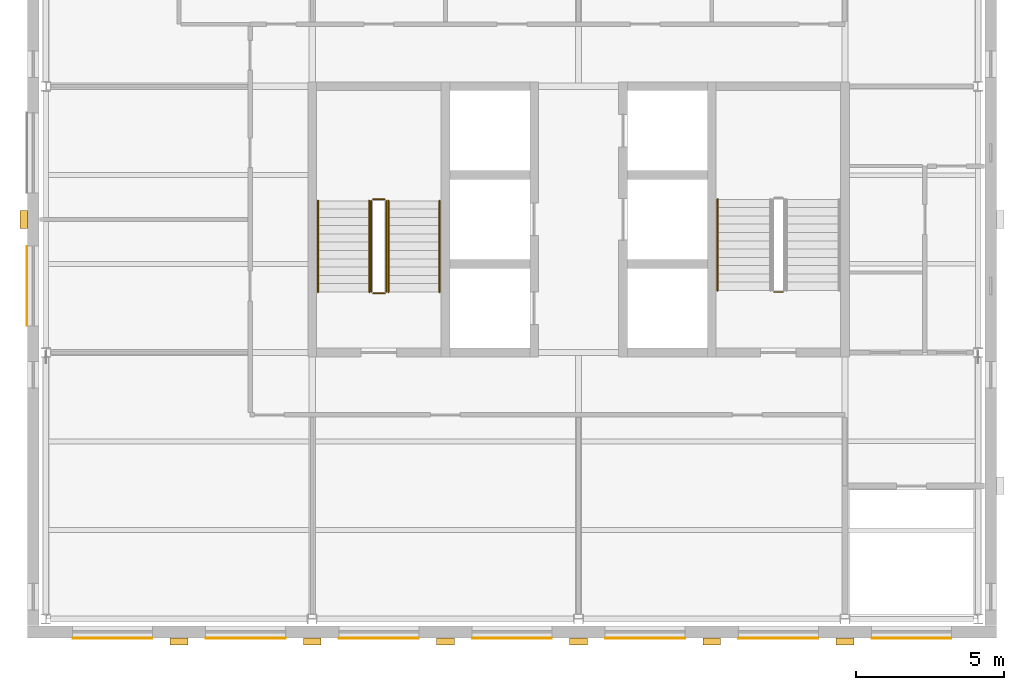
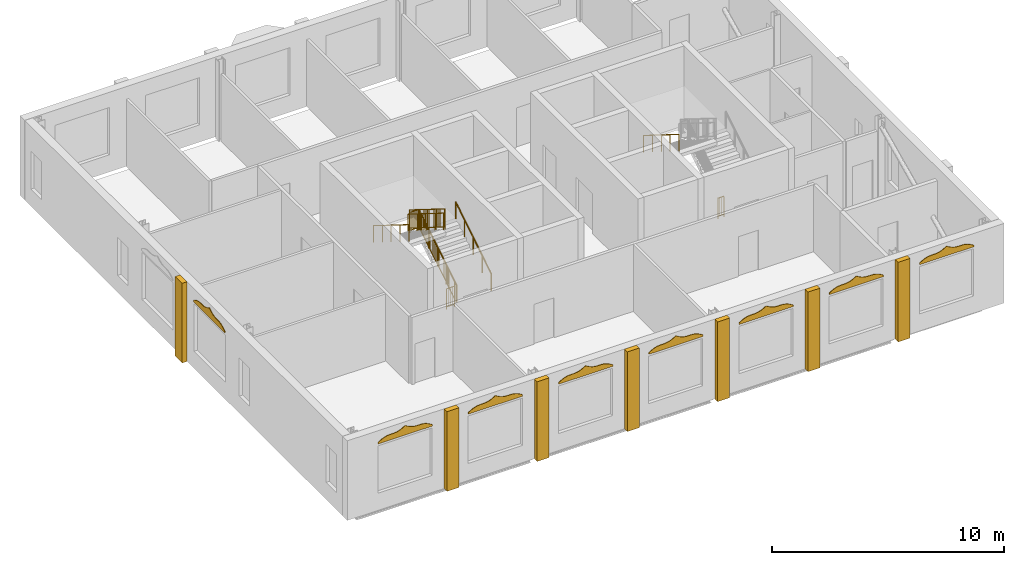
# One storey, part 8 of 9: 15 coverings, 10 railings.
"""IFC4 building model written with IfcOpenShell, lengths in metres."""

from ifc_helpers import new_model, si_unit, direction, frame, origin, origin_2d, place, context, subcontext, project, spatial, polyline, rectangle, circle, outline, extrude, material, layer, layer_set, type_object, element, save


model = new_model("IFC4")

# Units and contexts
model_context = context("Model", 3, precision=1e-05, world=origin(), true_north=direction((0.0, 1.0)))
body_context = subcontext(model_context, "Body", "Model", "MODEL_VIEW")
ifc_project = project(units=[si_unit("LENGTHUNIT", "METRE"), si_unit("AREAUNIT", "SQUARE_METRE"), si_unit("VOLUMEUNIT", "CUBIC_METRE"), si_unit("PLANEANGLEUNIT", "RADIAN"), si_unit("MASSUNIT", "GRAM", prefix="KILO")], contexts=[model_context])

# Site, building, storey
site_placement = place(None, origin())
site = spatial("IfcSite", under=ifc_project, at=site_placement, CompositionType="ELEMENT")
building_placement = place(site_placement, origin())
building = spatial("IfcBuilding", under=site, at=building_placement, Name="Hortulan Conservatory and Botanical Research Centre", CompositionType="ELEMENT")
storey_placement = place(building_placement, frame((0.0, 0.0, 57.0)))
storey = spatial("IfcBuildingStorey", under=building, at=storey_placement, Name="L13", CompositionType="ELEMENT", Elevation=57.0)

# Coverings
ifc_material_1 = material(Name="Faience cladding, cream glaze (non-combustible)", Category="ceramic")
ifc_layer_1 = layer(ifc_material_1, 0.030029296875)
ifc_layer_set_1 = layer_set([ifc_layer_1], Name="Faience Ogee Head Panel Cream 2700x500")
covering_type_1 = type_object("IfcCoveringType", Name="Faience Ogee Head Panel Cream 2700x500", PredefinedType="CLADDING", material=ifc_layer_set_1)
for number, where, z_axis, x_axis, name in (
    (1, (3.60009765625, -0.65087890625, 3.52001953125), (0.0, 0.0, 1.0), (-1.0, 0.0, 0.0), "Ogee head panel"),
    (2, (26.10009765625, -0.65087890625, 3.52001953125), (0.0, 0.0, 1.0), (-1.0, 0.0, 0.0), "Ogee head panel"),
    (3, (30.60009765625, -0.65087890625, 3.52001953125), (0.0, 0.0, 1.0), (-1.0, 0.0, 0.0), "Ogee head panel"),
):
    element("IfcCovering", number, at=place(storey_placement, frame(where, z_axis=z_axis, x_axis=x_axis)), inside=storey, type_object=covering_type_1, Name=name, PredefinedType="CLADDING", context=body_context, shape_type="SweptSolid", body=[
        extrude(outline(polyline([(0.0, 0.0), (2.699951171875, 0.0), (2.699951171875, 0.080078125), (2.58740234375, 0.148681640625), (2.47509765625, 0.208251953125), (2.362548828125, 0.252197265625), (2.25, 0.278076171875), (2.137451171875, 0.28857421875), (2.02490234375, 0.2900390625), (1.91259765625, 0.291259765625), (1.800048828125, 0.3017578125), (1.6875, 0.327880859375), (1.574951171875, 0.371826171875), (1.46240234375, 0.431396484375), (1.35009765625, 0.5), (1.237548828125, 0.431396484375), (1.125, 0.371826171875), (1.012451171875, 0.327880859375), (0.89990234375, 0.3017578125), (0.78759765625, 0.291259765625), (0.675048828125, 0.2900390625), (0.5625, 0.28857421875), (0.449951171875, 0.278076171875), (0.33740234375, 0.252197265625), (0.22509765625, 0.208251953125), (0.112548828125, 0.148681640625), (0.0, 0.080078125), (0.0, 0.0)])), frame((0.0, 0.01513671875, 0.0), z_axis=(0.0, -1.0, 0.0), x_axis=(1.0, 0.0, 0.0)), (0.0, 0.0, 1.0), 0.030029296875),
    ])
ifc_material_2 = material(Name="Faience cladding, waratah crimson glaze (non-combustible)", Category="ceramic")
ifc_layer_2 = layer(ifc_material_2, 0.030029296875)
ifc_layer_set_2 = layer_set([ifc_layer_2], Name="Faience Ogee Head Panel Crimson 2700x500")
covering_type_2 = type_object("IfcCoveringType", Name="Faience Ogee Head Panel Crimson 2700x500", PredefinedType="CLADDING", material=ifc_layer_set_2)
for number, where, z_axis, x_axis, name in (
    (4, (8.10009765625, -0.65087890625, 3.52001953125), (0.0, 0.0, 1.0), (-1.0, 0.0, 0.0), "Ogee head panel"),
    (5, (12.60009765625, -0.65087890625, 3.52001953125), (0.0, 0.0, 1.0), (-1.0, 0.0, 0.0), "Ogee head panel"),
    (6, (-0.639892578125, 9.89990234375, 3.52001953125), (0.0, 0.0, 1.0), (0.0, 1.0, 0.0), "Ogee head panel"),
):
    element("IfcCovering", number, at=place(storey_placement, frame(where, z_axis=z_axis, x_axis=x_axis)), inside=storey, type_object=covering_type_2, Name=name, PredefinedType="CLADDING", context=body_context, shape_type="SweptSolid", body=[
        extrude(outline(polyline([(0.0, 0.0), (2.699951171875, 0.0), (2.699951171875, 0.080078125), (2.58740234375, 0.148681640625), (2.47509765625, 0.208251953125), (2.362548828125, 0.252197265625), (2.25, 0.278076171875), (2.137451171875, 0.28857421875), (2.02490234375, 0.2900390625), (1.91259765625, 0.291259765625), (1.800048828125, 0.3017578125), (1.6875, 0.327880859375), (1.574951171875, 0.371826171875), (1.46240234375, 0.431396484375), (1.35009765625, 0.5), (1.237548828125, 0.431396484375), (1.125, 0.371826171875), (1.012451171875, 0.327880859375), (0.89990234375, 0.3017578125), (0.78759765625, 0.291259765625), (0.675048828125, 0.2900390625), (0.5625, 0.28857421875), (0.449951171875, 0.278076171875), (0.33740234375, 0.252197265625), (0.22509765625, 0.208251953125), (0.112548828125, 0.148681640625), (0.0, 0.080078125), (0.0, 0.0)])), frame((0.0, 0.01513671875, 0.0), z_axis=(0.0, -1.0, 0.0), x_axis=(1.0, 0.0, 0.0)), (0.0, 0.0, 1.0), 0.030029296875),
    ])
ifc_material_3 = material(Name="Faience cladding, harbour teal glaze (non-combustible)", Category="ceramic")
ifc_layer_3 = layer(ifc_material_3, 0.030029296875)
ifc_layer_set_3 = layer_set([ifc_layer_3], Name="Faience Ogee Head Panel Teal 2700x500")
covering_type_3 = type_object("IfcCoveringType", Name="Faience Ogee Head Panel Teal 2700x500", PredefinedType="CLADDING", material=ifc_layer_set_3)
for number, where, z_axis, x_axis, name in (
    (7, (17.10009765625, -0.65087890625, 3.52001953125), (0.0, 0.0, 1.0), (-1.0, 0.0, 0.0), "Ogee head panel"),
    (8, (21.60009765625, -0.65087890625, 3.52001953125), (0.0, 0.0, 1.0), (-1.0, 0.0, 0.0), "Ogee head panel"),
):
    element("IfcCovering", number, at=place(storey_placement, frame(where, z_axis=z_axis, x_axis=x_axis)), inside=storey, type_object=covering_type_3, Name=name, PredefinedType="CLADDING", context=body_context, shape_type="SweptSolid", body=[
        extrude(outline(polyline([(0.0, 0.0), (2.699951171875, 0.0), (2.699951171875, 0.080078125), (2.58740234375, 0.148681640625), (2.47509765625, 0.208251953125), (2.362548828125, 0.252197265625), (2.25, 0.278076171875), (2.137451171875, 0.28857421875), (2.02490234375, 0.2900390625), (1.91259765625, 0.291259765625), (1.800048828125, 0.3017578125), (1.6875, 0.327880859375), (1.574951171875, 0.371826171875), (1.46240234375, 0.431396484375), (1.35009765625, 0.5), (1.237548828125, 0.431396484375), (1.125, 0.371826171875), (1.012451171875, 0.327880859375), (0.89990234375, 0.3017578125), (0.78759765625, 0.291259765625), (0.675048828125, 0.2900390625), (0.5625, 0.28857421875), (0.449951171875, 0.278076171875), (0.33740234375, 0.252197265625), (0.22509765625, 0.208251953125), (0.112548828125, 0.148681640625), (0.0, 0.080078125), (0.0, 0.0)])), frame((0.0, 0.01513671875, 0.0), z_axis=(0.0, -1.0, 0.0), x_axis=(1.0, 0.0, 0.0)), (0.0, 0.0, 1.0), 0.030029296875),
    ])
ifc_layer_4 = layer(ifc_material_1, 0.25)
ifc_layer_set_4 = layer_set([ifc_layer_4], Name="Faience Pilaster 600x250")
covering_type_4 = type_object("IfcCoveringType", Name="Faience Pilaster 600x250", PredefinedType="CLADDING", material=ifc_layer_set_4)
for number, where, z_axis, x_axis, name in (
    (9, (27.0, -0.760986328125, 0.0), (0.0, 0.0, 1.0), (-1.0, 0.0, 0.0), "Pier"),
    (10, (22.5, -0.760986328125, 0.0), (0.0, 0.0, 1.0), (-1.0, 0.0, 0.0), "Pier"),
    (11, (18.0, -0.760986328125, 0.0), (0.0, 0.0, 1.0), (-1.0, 0.0, 0.0), "Pier"),
    (12, (13.5, -0.760986328125, 0.0), (0.0, 0.0, 1.0), (-1.0, 0.0, 0.0), "Pier"),
    (13, (9.0, -0.760986328125, 0.0), (0.0, 0.0, 1.0), (-1.0, 0.0, 0.0), "Pier"),
    (14, (4.5, -0.760986328125, 0.0), (0.0, 0.0, 1.0), (-1.0, 0.0, 0.0), "Pier"),
    (15, (-0.75, 13.5, 0.0), (0.0, 0.0, 1.0), (0.0, 1.0, 0.0), "Pier"),
):
    element("IfcCovering", number, at=place(storey_placement, frame(where, z_axis=z_axis, x_axis=x_axis)), inside=storey, type_object=covering_type_4, Name=name, PredefinedType="CLADDING", context=body_context, shape_type="SweptSolid", body=[
        extrude(rectangle(XDim=0.60009765625, YDim=0.25, at=origin_2d()), origin(), (0.0, 0.0, 1.0), 4.199951171875),
    ])

# Railings
ifc_material_4 = material(Name="Steel balustrade, bronze-charcoal paint", Category="steel")
railing_type_1 = type_object("IfcRailingType", Name="Stair Guard 1100", PredefinedType="GUARDRAIL", material=ifc_material_4)
railing_1_placement = place(storey_placement, frame((11.5, 11.050048828125, 0.175048828125)))
element("IfcRailing", 16, at=railing_1_placement, inside=storey, type_object=railing_type_1, Name="Guard T1 L13 stair 1", PredefinedType="GUARDRAIL", context=body_context, shape_type="SweptSolid", body=[
    extrude(circle(Radius=0.02392578125, at=origin_2d()), frame((0.0, 0.0, 1.076171875), z_axis=(0.0, 0.847979421464, 0.530029150871), x_axis=(-1.0, 0.0, 0.0)), (0.0, 0.0, 1.0), 3.632080078125),
    extrude(circle(Radius=0.02392578125, at=origin_2d()), frame((0.0, 0.0, 0.1240234375), z_axis=(0.0, 0.847979421464, 0.530029150871), x_axis=(-1.0, 0.0, 0.0)), (0.0, 0.0, 1.0), 3.632080078125),
    extrude(circle(Radius=0.008056640625, at=origin_2d()), frame((0.0, 0.090576171875, 0.204833984375)), (0.0, 0.0, 1.0), 0.90380859375),
    extrude(circle(Radius=0.008056640625, at=origin_2d()), frame((0.0, 0.18115234375, 0.261474609375)), (0.0, 0.0, 1.0), 0.90380859375),
    extrude(circle(Radius=0.008056640625, at=origin_2d()), frame((0.0, 0.271728515625, 0.318115234375)), (0.0, 0.0, 1.0), 0.90380859375),
    extrude(circle(Radius=0.008056640625, at=origin_2d()), frame((0.0, 0.3623046875, 0.374755859375)), (0.0, 0.0, 1.0), 0.90380859375),
    extrude(circle(Radius=0.008056640625, at=origin_2d()), frame((0.0, 0.452880859375, 0.431396484375)), (0.0, 0.0, 1.0), 0.90380859375),
    extrude(circle(Radius=0.008056640625, at=origin_2d()), frame((0.0, 0.54345703125, 0.48779296875)), (0.0, 0.0, 1.0), 0.90380859375),
    extrude(circle(Radius=0.008056640625, at=origin_2d()), frame((0.0, 0.634033203125, 0.54443359375)), (0.0, 0.0, 1.0), 0.90380859375),
    extrude(circle(Radius=0.008056640625, at=origin_2d()), frame((0.0, 0.724609375, 0.60107421875)), (0.0, 0.0, 1.0), 0.90380859375),
    extrude(circle(Radius=0.008056640625, at=origin_2d()), frame((0.0, 0.815185546875, 0.65771484375)), (0.0, 0.0, 1.0), 0.90380859375),
    extrude(circle(Radius=0.008056640625, at=origin_2d()), frame((0.0, 0.90576171875, 0.71435546875)), (0.0, 0.0, 1.0), 0.90380859375),
    extrude(circle(Radius=0.008056640625, at=origin_2d()), frame((0.0, 0.996337890625, 0.77099609375)), (0.0, 0.0, 1.0), 0.90380859375),
    extrude(circle(Radius=0.008056640625, at=origin_2d()), frame((0.0, 1.0869140625, 0.82763671875)), (0.0, 0.0, 1.0), 0.90380859375),
    extrude(circle(Radius=0.008056640625, at=origin_2d()), frame((0.0, 1.177490234375, 0.88427734375)), (0.0, 0.0, 1.0), 0.90380859375),
    extrude(circle(Radius=0.008056640625, at=origin_2d()), frame((0.0, 1.26806640625, 0.94091796875)), (0.0, 0.0, 1.0), 0.90380859375),
    extrude(circle(Radius=0.008056640625, at=origin_2d()), frame((0.0, 1.358642578125, 0.99755859375)), (0.0, 0.0, 1.0), 0.90380859375),
    extrude(circle(Radius=0.008056640625, at=origin_2d()), frame((0.0, 1.44921875, 1.05419921875)), (0.0, 0.0, 1.0), 0.90380859375),
    extrude(circle(Radius=0.008056640625, at=origin_2d()), frame((0.0, 1.5400390625, 1.11083984375)), (0.0, 0.0, 1.0), 0.90380859375),
    extrude(circle(Radius=0.008056640625, at=origin_2d()), frame((0.0, 1.630615234375, 1.167236328125)), (0.0, 0.0, 1.0), 0.90380859375),
    extrude(circle(Radius=0.008056640625, at=origin_2d()), frame((0.0, 1.72119140625, 1.223876953125)), (0.0, 0.0, 1.0), 0.90380859375),
    extrude(circle(Radius=0.008056640625, at=origin_2d()), frame((0.0, 1.811767578125, 1.280517578125)), (0.0, 0.0, 1.0), 0.90380859375),
    extrude(circle(Radius=0.008056640625, at=origin_2d()), frame((0.0, 1.90234375, 1.337158203125)), (0.0, 0.0, 1.0), 0.90380859375),
    extrude(circle(Radius=0.008056640625, at=origin_2d()), frame((0.0, 1.992919921875, 1.393798828125)), (0.0, 0.0, 1.0), 0.90380859375),
    extrude(circle(Radius=0.008056640625, at=origin_2d()), frame((0.0, 2.08349609375, 1.450439453125)), (0.0, 0.0, 1.0), 0.90380859375),
    extrude(circle(Radius=0.008056640625, at=origin_2d()), frame((0.0, 2.174072265625, 1.507080078125)), (0.0, 0.0, 1.0), 0.90380859375),
    extrude(circle(Radius=0.008056640625, at=origin_2d()), frame((0.0, 2.2646484375, 1.563720703125)), (0.0, 0.0, 1.0), 0.90380859375),
    extrude(circle(Radius=0.008056640625, at=origin_2d()), frame((0.0, 2.355224609375, 1.620361328125)), (0.0, 0.0, 1.0), 0.90380859375),
    extrude(circle(Radius=0.008056640625, at=origin_2d()), frame((0.0, 2.44580078125, 1.677001953125)), (0.0, 0.0, 1.0), 0.90380859375),
    extrude(circle(Radius=0.008056640625, at=origin_2d()), frame((0.0, 2.536376953125, 1.733642578125)), (0.0, 0.0, 1.0), 0.90380859375),
    extrude(circle(Radius=0.008056640625, at=origin_2d()), frame((0.0, 2.626953125, 1.7900390625)), (0.0, 0.0, 1.0), 0.90380859375),
    extrude(circle(Radius=0.008056640625, at=origin_2d()), frame((0.0, 2.717529296875, 1.8466796875)), (0.0, 0.0, 1.0), 0.90380859375),
    extrude(circle(Radius=0.008056640625, at=origin_2d()), frame((0.0, 2.80810546875, 1.9033203125)), (0.0, 0.0, 1.0), 0.90380859375),
    extrude(circle(Radius=0.008056640625, at=origin_2d()), frame((0.0, 2.898681640625, 1.9599609375)), (0.0, 0.0, 1.0), 0.90380859375),
    extrude(circle(Radius=0.008056640625, at=origin_2d()), frame((0.0, 2.9892578125, 2.0166015625)), (0.0, 0.0, 1.0), 0.90380859375),
    extrude(circle(Radius=0.02099609375, at=origin_2d()), origin(), (0.0, 0.0, 1.0), 1.052001953125),
    extrude(circle(Radius=0.02099609375, at=origin_2d()), frame((0.0, 0.77001953125, 0.481201171875)), (0.0, 0.0, 1.0), 1.052001953125),
    extrude(circle(Radius=0.02099609375, at=origin_2d()), frame((0.0, 1.5400390625, 0.96240234375)), (0.0, 0.0, 1.0), 1.052001953125),
    extrude(circle(Radius=0.02099609375, at=origin_2d()), frame((0.0, 2.309814453125, 1.44384765625)), (0.0, 0.0, 1.0), 1.052001953125),
    extrude(circle(Radius=0.02099609375, at=origin_2d()), frame((0.0, 3.079833984375, 1.925048828125)), (0.0, 0.0, 1.0), 1.052001953125),
])
railing_2_placement = place(storey_placement, frame((11.449951171875, 14.179931640625, 2.10009765625)))
element("IfcRailing", 17, at=railing_2_placement, inside=storey, type_object=railing_type_1, Name="Guard T1 L13 stair 2", PredefinedType="GUARDRAIL", context=body_context, shape_type="SweptSolid", body=[
    extrude(circle(Radius=0.02392578125, at=origin_2d()), frame((0.0, 0.0, 1.076171875), z_axis=(-1.0, 0.0, 0.0), x_axis=(0.0, -1.0, 0.0)), (0.0, 0.0, 1.0), 0.39990234375),
    extrude(circle(Radius=0.02392578125, at=origin_2d()), frame((0.0, 0.0, 0.1240234375), z_axis=(-1.0, 0.0, 0.0), x_axis=(0.0, -1.0, 0.0)), (0.0, 0.0, 1.0), 0.39990234375),
    extrude(circle(Radius=0.008056640625, at=origin_2d()), frame((-0.10009765625, 0.0, 0.148193359375)), (0.0, 0.0, 1.0), 0.90380859375),
    extrude(circle(Radius=0.008056640625, at=origin_2d()), frame((-0.199951171875, 0.0, 0.148193359375)), (0.0, 0.0, 1.0), 0.90380859375),
    extrude(circle(Radius=0.008056640625, at=origin_2d()), frame((-0.2998046875, 0.0, 0.148193359375)), (0.0, 0.0, 1.0), 0.90380859375),
    extrude(circle(Radius=0.02099609375, at=origin_2d()), origin(), (0.0, 0.0, 1.0), 1.052001953125),
    extrude(circle(Radius=0.02099609375, at=origin_2d()), frame((-0.39990234375, 0.0, 0.0)), (0.0, 0.0, 1.0), 1.052001953125),
])
railing_3_placement = place(storey_placement, frame((11.0, 14.1298828125, 2.27490234375)))
element("IfcRailing", 18, at=railing_3_placement, inside=storey, type_object=railing_type_1, Name="Guard T1 L13 stair 3", PredefinedType="GUARDRAIL", context=body_context, shape_type="SweptSolid", body=[
    extrude(circle(Radius=0.02392578125, at=origin_2d()), frame((0.0, 0.0, 1.076171875), z_axis=(0.0, -0.847979421464, 0.530029150871), x_axis=(1.0, 0.0, 0.0)), (0.0, 0.0, 1.0), 3.632080078125),
    extrude(circle(Radius=0.02392578125, at=origin_2d()), frame((0.0, 0.0, 0.1240234375), z_axis=(0.0, -0.847979421464, 0.530029150871), x_axis=(1.0, 0.0, 0.0)), (0.0, 0.0, 1.0), 3.632080078125),
    extrude(circle(Radius=0.008056640625, at=origin_2d()), frame((0.0, -0.090576171875, 0.204833984375)), (0.0, 0.0, 1.0), 0.90380859375),
    extrude(circle(Radius=0.008056640625, at=origin_2d()), frame((0.0, -0.18115234375, 0.261474609375)), (0.0, 0.0, 1.0), 0.90380859375),
    extrude(circle(Radius=0.008056640625, at=origin_2d()), frame((0.0, -0.271728515625, 0.318115234375)), (0.0, 0.0, 1.0), 0.90380859375),
    extrude(circle(Radius=0.008056640625, at=origin_2d()), frame((0.0, -0.3623046875, 0.374755859375)), (0.0, 0.0, 1.0), 0.90380859375),
    extrude(circle(Radius=0.008056640625, at=origin_2d()), frame((0.0, -0.452880859375, 0.431396484375)), (0.0, 0.0, 1.0), 0.90380859375),
    extrude(circle(Radius=0.008056640625, at=origin_2d()), frame((0.0, -0.54345703125, 0.48779296875)), (0.0, 0.0, 1.0), 0.90380859375),
    extrude(circle(Radius=0.008056640625, at=origin_2d()), frame((0.0, -0.634033203125, 0.54443359375)), (0.0, 0.0, 1.0), 0.90380859375),
    extrude(circle(Radius=0.008056640625, at=origin_2d()), frame((0.0, -0.724609375, 0.60107421875)), (0.0, 0.0, 1.0), 0.90380859375),
    extrude(circle(Radius=0.008056640625, at=origin_2d()), frame((0.0, -0.815185546875, 0.65771484375)), (0.0, 0.0, 1.0), 0.90380859375),
    extrude(circle(Radius=0.008056640625, at=origin_2d()), frame((0.0, -0.90576171875, 0.71435546875)), (0.0, 0.0, 1.0), 0.90380859375),
    extrude(circle(Radius=0.008056640625, at=origin_2d()), frame((0.0, -0.996337890625, 0.77099609375)), (0.0, 0.0, 1.0), 0.90380859375),
    extrude(circle(Radius=0.008056640625, at=origin_2d()), frame((0.0, -1.0869140625, 0.82763671875)), (0.0, 0.0, 1.0), 0.90380859375),
    extrude(circle(Radius=0.008056640625, at=origin_2d()), frame((0.0, -1.177490234375, 0.88427734375)), (0.0, 0.0, 1.0), 0.90380859375),
    extrude(circle(Radius=0.008056640625, at=origin_2d()), frame((0.0, -1.26806640625, 0.94091796875)), (0.0, 0.0, 1.0), 0.90380859375),
    extrude(circle(Radius=0.008056640625, at=origin_2d()), frame((0.0, -1.358642578125, 0.99755859375)), (0.0, 0.0, 1.0), 0.90380859375),
    extrude(circle(Radius=0.008056640625, at=origin_2d()), frame((0.0, -1.44921875, 1.05419921875)), (0.0, 0.0, 1.0), 0.90380859375),
    extrude(circle(Radius=0.008056640625, at=origin_2d()), frame((0.0, -1.5400390625, 1.11083984375)), (0.0, 0.0, 1.0), 0.90380859375),
    extrude(circle(Radius=0.008056640625, at=origin_2d()), frame((0.0, -1.630615234375, 1.167236328125)), (0.0, 0.0, 1.0), 0.90380859375),
    extrude(circle(Radius=0.008056640625, at=origin_2d()), frame((0.0, -1.72119140625, 1.223876953125)), (0.0, 0.0, 1.0), 0.90380859375),
    extrude(circle(Radius=0.008056640625, at=origin_2d()), frame((0.0, -1.811767578125, 1.280517578125)), (0.0, 0.0, 1.0), 0.90380859375),
    extrude(circle(Radius=0.008056640625, at=origin_2d()), frame((0.0, -1.90234375, 1.337158203125)), (0.0, 0.0, 1.0), 0.90380859375),
    extrude(circle(Radius=0.008056640625, at=origin_2d()), frame((0.0, -1.992919921875, 1.393798828125)), (0.0, 0.0, 1.0), 0.90380859375),
    extrude(circle(Radius=0.008056640625, at=origin_2d()), frame((0.0, -2.08349609375, 1.450439453125)), (0.0, 0.0, 1.0), 0.90380859375),
    extrude(circle(Radius=0.008056640625, at=origin_2d()), frame((0.0, -2.174072265625, 1.507080078125)), (0.0, 0.0, 1.0), 0.90380859375),
    extrude(circle(Radius=0.008056640625, at=origin_2d()), frame((0.0, -2.2646484375, 1.563720703125)), (0.0, 0.0, 1.0), 0.90380859375),
    extrude(circle(Radius=0.008056640625, at=origin_2d()), frame((0.0, -2.355224609375, 1.620361328125)), (0.0, 0.0, 1.0), 0.90380859375),
    extrude(circle(Radius=0.008056640625, at=origin_2d()), frame((0.0, -2.44580078125, 1.677001953125)), (0.0, 0.0, 1.0), 0.90380859375),
    extrude(circle(Radius=0.008056640625, at=origin_2d()), frame((0.0, -2.536376953125, 1.733642578125)), (0.0, 0.0, 1.0), 0.90380859375),
    extrude(circle(Radius=0.008056640625, at=origin_2d()), frame((0.0, -2.626953125, 1.7900390625)), (0.0, 0.0, 1.0), 0.90380859375),
    extrude(circle(Radius=0.008056640625, at=origin_2d()), frame((0.0, -2.717529296875, 1.8466796875)), (0.0, 0.0, 1.0), 0.90380859375),
    extrude(circle(Radius=0.008056640625, at=origin_2d()), frame((0.0, -2.80810546875, 1.9033203125)), (0.0, 0.0, 1.0), 0.90380859375),
    extrude(circle(Radius=0.008056640625, at=origin_2d()), frame((0.0, -2.898681640625, 1.9599609375)), (0.0, 0.0, 1.0), 0.90380859375),
    extrude(circle(Radius=0.008056640625, at=origin_2d()), frame((0.0, -2.9892578125, 2.0166015625)), (0.0, 0.0, 1.0), 0.90380859375),
    extrude(circle(Radius=0.02099609375, at=origin_2d()), origin(), (0.0, 0.0, 1.0), 1.052001953125),
    extrude(circle(Radius=0.02099609375, at=origin_2d()), frame((0.0, -0.77001953125, 0.481201171875)), (0.0, 0.0, 1.0), 1.052001953125),
    extrude(circle(Radius=0.02099609375, at=origin_2d()), frame((0.0, -1.5400390625, 0.96240234375)), (0.0, 0.0, 1.0), 1.052001953125),
    extrude(circle(Radius=0.02099609375, at=origin_2d()), frame((0.0, -2.309814453125, 1.44384765625)), (0.0, 0.0, 1.0), 1.052001953125),
    extrude(circle(Radius=0.02099609375, at=origin_2d()), frame((0.0, -3.079833984375, 1.925048828125)), (0.0, 0.0, 1.0), 1.052001953125),
])
railing_4_placement = place(storey_placement, frame((11.449951171875, 11.0, 0.0)))
element("IfcRailing", 19, at=railing_4_placement, inside=storey, type_object=railing_type_1, Name="Guard T1 L13 stair 4", PredefinedType="GUARDRAIL", context=body_context, shape_type="SweptSolid", body=[
    extrude(circle(Radius=0.02392578125, at=origin_2d()), frame((0.0, 0.0, 1.076171875), z_axis=(-1.0, 0.0, 0.0), x_axis=(0.0, -1.0, 0.0)), (0.0, 0.0, 1.0), 0.39990234375),
    extrude(circle(Radius=0.02392578125, at=origin_2d()), frame((0.0, 0.0, 0.1240234375), z_axis=(-1.0, 0.0, 0.0), x_axis=(0.0, -1.0, 0.0)), (0.0, 0.0, 1.0), 0.39990234375),
    extrude(circle(Radius=0.008056640625, at=origin_2d()), frame((-0.10009765625, 0.0, 0.148193359375)), (0.0, 0.0, 1.0), 0.90380859375),
    extrude(circle(Radius=0.008056640625, at=origin_2d()), frame((-0.199951171875, 0.0, 0.148193359375)), (0.0, 0.0, 1.0), 0.90380859375),
    extrude(circle(Radius=0.008056640625, at=origin_2d()), frame((-0.2998046875, 0.0, 0.148193359375)), (0.0, 0.0, 1.0), 0.90380859375),
    extrude(circle(Radius=0.02099609375, at=origin_2d()), origin(), (0.0, 0.0, 1.0), 1.052001953125),
    extrude(circle(Radius=0.02099609375, at=origin_2d()), frame((-0.39990234375, 0.0, 0.0)), (0.0, 0.0, 1.0), 1.052001953125),
])
railing_5_placement = place(storey_placement, frame((24.89990234375, 11.050048828125, 0.0)))
element("IfcRailing", 20, at=railing_5_placement, inside=storey, type_object=railing_type_1, Name="Guard T2 L13 stair 4", PredefinedType="GUARDRAIL", context=body_context, shape_type="SweptSolid", body=[
    extrude(circle(Radius=0.02392578125, at=origin_2d()), frame((0.0, 0.0, 1.076171875), z_axis=(-1.0, 0.0, 0.0), x_axis=(0.0, -1.0, 0.0)), (0.0, 0.0, 1.0), 0.2998046875),
    extrude(circle(Radius=0.02392578125, at=origin_2d()), frame((0.0, 0.0, 0.1240234375), z_axis=(-1.0, 0.0, 0.0), x_axis=(0.0, -1.0, 0.0)), (0.0, 0.0, 1.0), 0.2998046875),
    extrude(circle(Radius=0.008056640625, at=origin_2d()), frame((-0.099853515625, 0.0, 0.148193359375)), (0.0, 0.0, 1.0), 0.90380859375),
    extrude(circle(Radius=0.008056640625, at=origin_2d()), frame((-0.199951171875, 0.0, 0.148193359375)), (0.0, 0.0, 1.0), 0.90380859375),
    extrude(circle(Radius=0.02099609375, at=origin_2d()), origin(), (0.0, 0.0, 1.0), 1.052001953125),
    extrude(circle(Radius=0.02099609375, at=origin_2d()), frame((-0.2998046875, 0.0, 0.0)), (0.0, 0.0, 1.0), 1.052001953125),
])
ifc_material_5 = material(Name="Bronze handrail, polished", Category="metal")
railing_type_2 = type_object("IfcRailingType", Name="Stair Handrail 900", PredefinedType="HANDRAIL", material=ifc_material_5)
railing_6_placement = place(storey_placement, frame((13.300048828125, 11.050048828125, 0.175048828125)))
element("IfcRailing", 21, at=railing_6_placement, inside=storey, type_object=railing_type_2, Name="Handrail T1 L13 stair 1", PredefinedType="HANDRAIL", context=body_context, shape_type="SweptSolid", body=[
    extrude(circle(Radius=0.02392578125, at=origin_2d()), frame((0.0, 0.0, 0.8759765625), z_axis=(0.0, 0.847979421464, 0.530029150871), x_axis=(-1.0, 0.0, 0.0)), (0.0, 0.0, 1.0), 3.632080078125),
    extrude(circle(Radius=0.02099609375, at=origin_2d()), origin(), (0.0, 0.0, 1.0), 0.851806640625),
    extrude(circle(Radius=0.02099609375, at=origin_2d()), frame((0.0, 0.77001953125, 0.481201171875)), (0.0, 0.0, 1.0), 0.851806640625),
    extrude(circle(Radius=0.02099609375, at=origin_2d()), frame((0.0, 1.5400390625, 0.96240234375)), (0.0, 0.0, 1.0), 0.851806640625),
    extrude(circle(Radius=0.02099609375, at=origin_2d()), frame((0.0, 2.309814453125, 1.44384765625)), (0.0, 0.0, 1.0), 0.851806640625),
    extrude(circle(Radius=0.02099609375, at=origin_2d()), frame((0.0, 3.079833984375, 1.925048828125)), (0.0, 0.0, 1.0), 0.851806640625),
])
railing_7_placement = place(storey_placement, frame((9.199951171875, 14.1298828125, 2.27490234375)))
element("IfcRailing", 22, at=railing_7_placement, inside=storey, type_object=railing_type_2, Name="Handrail T1 L13 stair 2", PredefinedType="HANDRAIL", context=body_context, shape_type="SweptSolid", body=[
    extrude(circle(Radius=0.02392578125, at=origin_2d()), frame((0.0, 0.0, 0.8759765625), z_axis=(0.0, -0.847979421464, 0.530029150871), x_axis=(1.0, 0.0, 0.0)), (0.0, 0.0, 1.0), 3.632080078125),
    extrude(circle(Radius=0.02099609375, at=origin_2d()), origin(), (0.0, 0.0, 1.0), 0.851806640625),
    extrude(circle(Radius=0.02099609375, at=origin_2d()), frame((0.0, -0.77001953125, 0.481201171875)), (0.0, 0.0, 1.0), 0.851806640625),
    extrude(circle(Radius=0.02099609375, at=origin_2d()), frame((0.0, -1.5400390625, 0.96240234375)), (0.0, 0.0, 1.0), 0.851806640625),
    extrude(circle(Radius=0.02099609375, at=origin_2d()), frame((0.0, -2.309814453125, 1.44384765625)), (0.0, 0.0, 1.0), 0.851806640625),
    extrude(circle(Radius=0.02099609375, at=origin_2d()), frame((0.0, -3.079833984375, 1.925048828125)), (0.0, 0.0, 1.0), 0.851806640625),
])
railing_8_placement = place(storey_placement, frame((11.570068359375, 11.050048828125, 0.175048828125)))
element("IfcRailing", 23, at=railing_8_placement, inside=storey, type_object=railing_type_2, Name="Handrail T1 L13 stair 3", PredefinedType="HANDRAIL", context=body_context, shape_type="SweptSolid", body=[
    extrude(circle(Radius=0.02392578125, at=origin_2d()), frame((0.0, 0.0, 0.8759765625), z_axis=(0.0, 0.847979421464, 0.530029150871), x_axis=(-1.0, 0.0, 0.0)), (0.0, 0.0, 1.0), 3.632080078125),
    extrude(circle(Radius=0.02099609375, at=origin_2d()), origin(), (0.0, 0.0, 1.0), 0.851806640625),
    extrude(circle(Radius=0.02099609375, at=origin_2d()), frame((0.0, 0.77001953125, 0.481201171875)), (0.0, 0.0, 1.0), 0.851806640625),
    extrude(circle(Radius=0.02099609375, at=origin_2d()), frame((0.0, 1.5400390625, 0.96240234375)), (0.0, 0.0, 1.0), 0.851806640625),
    extrude(circle(Radius=0.02099609375, at=origin_2d()), frame((0.0, 2.309814453125, 1.44384765625)), (0.0, 0.0, 1.0), 0.851806640625),
    extrude(circle(Radius=0.02099609375, at=origin_2d()), frame((0.0, 3.079833984375, 1.925048828125)), (0.0, 0.0, 1.0), 0.851806640625),
])
for number, where, name in (
    (24, (10.929931640625, 14.1298828125, 2.27490234375), "Handrail T1 L13 stair 4"),
    (25, (22.699951171875, 14.179931640625, 2.27490234375), "Handrail T2 L13 stair 2"),
):
    element("IfcRailing", number, at=place(storey_placement, frame(where)), inside=storey, type_object=railing_type_2, Name=name, PredefinedType="HANDRAIL", context=body_context, shape_type="SweptSolid", body=[
        extrude(circle(Radius=0.02392578125, at=origin_2d()), frame((0.0, 0.0, 0.8759765625), z_axis=(0.0, -0.847979421464, 0.530029150871), x_axis=(1.0, 0.0, 0.0)), (0.0, 0.0, 1.0), 3.632080078125),
        extrude(circle(Radius=0.02099609375, at=origin_2d()), origin(), (0.0, 0.0, 1.0), 0.851806640625),
        extrude(circle(Radius=0.02099609375, at=origin_2d()), frame((0.0, -0.77001953125, 0.481201171875)), (0.0, 0.0, 1.0), 0.851806640625),
        extrude(circle(Radius=0.02099609375, at=origin_2d()), frame((0.0, -1.5400390625, 0.96240234375)), (0.0, 0.0, 1.0), 0.851806640625),
        extrude(circle(Radius=0.02099609375, at=origin_2d()), frame((0.0, -2.309814453125, 1.44384765625)), (0.0, 0.0, 1.0), 0.851806640625),
        extrude(circle(Radius=0.02099609375, at=origin_2d()), frame((0.0, -3.079833984375, 1.925048828125)), (0.0, 0.0, 1.0), 0.851806640625),
    ])

save(model, "model.ifc")
